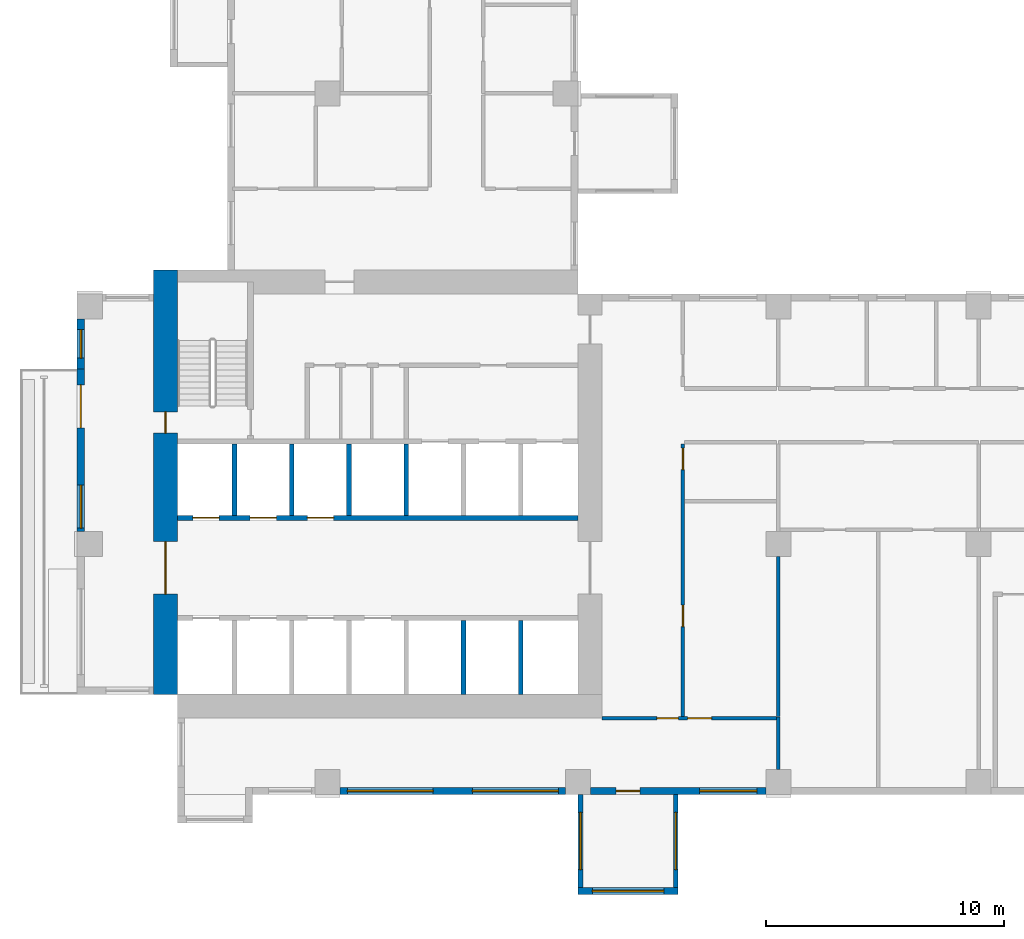
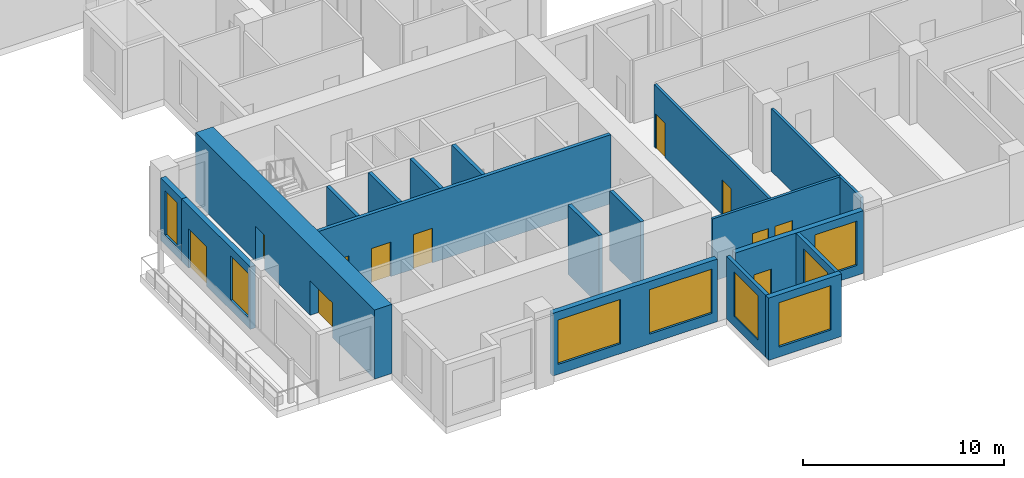
# One storey, part 2 of 14: 19 walls, 11 doors, 8 windows, 19 openings.
"""IFC4 building model written with IfcOpenShell, lengths in metres."""

from ifc_helpers import new_model, si_unit, direction, frame, frame_2d, origin, place, context, subcontext, project, spatial, rectangle, extrude, source, transform, mapped, material, layer, layer_set, type_object, element, fill, save


model = new_model("IFC4")

# Units and contexts
model_context = context("Model", 3, precision=1e-05, world=origin(), true_north=direction((0.0, 1.0)))
body_context = subcontext(model_context, "Body", "Model", "MODEL_VIEW")
ifc_project = project(units=[si_unit("LENGTHUNIT", "METRE"), si_unit("AREAUNIT", "SQUARE_METRE"), si_unit("VOLUMEUNIT", "CUBIC_METRE"), si_unit("PLANEANGLEUNIT", "RADIAN"), si_unit("MASSUNIT", "GRAM", prefix="KILO")], contexts=[model_context])

# Site, building, storey
site_placement = place(None, origin())
site = spatial("IfcSite", under=ifc_project, at=site_placement, CompositionType="ELEMENT")
building_placement = place(site_placement, origin())
building = spatial("IfcBuilding", under=site, at=building_placement, Name="Aurelian Terraces", CompositionType="ELEMENT")
storey_placement = place(building_placement, frame((0.0, 0.0, 111.9)))
storey = spatial("IfcBuildingStorey", under=building, at=storey_placement, Name="L24", CompositionType="ELEMENT", Elevation=111.9)

# Wall, openings, doors
ifc_material_1 = material(Name="Gypsum board on steel studs", Category="steel")
ifc_layer_1 = layer(ifc_material_1, 0.15)
ifc_layer_set_1 = layer_set([ifc_layer_1], Name="Partition 150")
wall_type_1 = type_object("IfcWallType", Name="Partition 150", PredefinedType="PARTITIONING", material=ifc_layer_set_1)
wall_1_placement = place(storey_placement, frame((25.4, 14.7, 0.0), z_axis=(0.0, 0.0, 1.0), x_axis=(0.0, -1.0, 0.0)))
wall_1 = element("IfcWall", 1, at=wall_1_placement, inside=storey, type_object=wall_type_1, Name="Partition", PredefinedType="PARTITIONING", context=body_context, shape_type="SweptSolid", body=[
    extrude(rectangle(XDim=11.425, YDim=0.15, at=frame_2d((5.7125, 0.0))), origin(), (0.0, 0.0, 1.0), 3.8),
])
shared_shape_1 = source(origin(), body_context, "Body", "SweptSolid", [
    extrude(rectangle(XDim=0.9, YDim=2.1, at=frame_2d((0.45, 1.05))), frame((0.0, 0.085, 0.0), z_axis=(0.0, -1.0, 0.0), x_axis=(1.0, 0.0, 0.0)), (0.0, 0.0, 1.0), 0.17),
])
opening_1_placement = place(wall_1_placement, frame((6.7625, 0.0, 0.0)))
opening_1 = element("IfcOpeningElement", 2, at=opening_1_placement, cuts=wall_1, Name="Opening 724001", PredefinedType="OPENING", context=body_context, shape_type="MappedRepresentation", body=[
    mapped(shared_shape_1, transform((0.0, 0.0, 0.0), scale=1.0)),
])
opening_2_placement = place(wall_1_placement, frame((0.175, 0.0, 0.0)))
opening_2 = element("IfcOpeningElement", 3, at=opening_2_placement, cuts=wall_1, Name="Opening 724002", PredefinedType="OPENING", context=body_context, shape_type="MappedRepresentation", body=[
    mapped(shared_shape_1, transform((0.0, 0.0, 0.0), scale=1.0)),
])
ifc_material_2 = material(Name="Timber door leaf", Category="wood")
door_type_1 = type_object("IfcDoorType", Name="Room door 900x2100 right", OperationType="SINGLE_SWING_RIGHT", PredefinedType="DOOR", material=ifc_material_2)
shared_shape_2 = source(origin(), body_context, "Body", "SweptSolid", [
    extrude(rectangle(XDim=0.9, YDim=2.1, at=frame_2d((0.45, 1.05))), frame((0.0, 0.025, 0.0), z_axis=(0.0, -1.0, 0.0), x_axis=(1.0, 0.0, 0.0)), (0.0, 0.0, 1.0), 0.05),
])
door_1_placement = place(opening_1_placement, origin())
door_1 = element("IfcDoor", 4, at=door_1_placement, inside=storey, type_object=door_type_1, Name="Door 724001", OperationType="SINGLE_SWING_RIGHT", OverallHeight=2.1, OverallWidth=0.9, PredefinedType="DOOR", context=body_context, shape_type="MappedRepresentation", body=[
    mapped(shared_shape_2, transform((0.0, 0.0, 0.0), scale=1.0)),
])
fill(opening_1, door_1)
door_type_2 = type_object("IfcDoorType", Name="Room door 900x2100 left", OperationType="SINGLE_SWING_LEFT", PredefinedType="DOOR", material=ifc_material_2)
door_2_placement = place(opening_2_placement, origin())
door_2 = element("IfcDoor", 5, at=door_2_placement, inside=storey, type_object=door_type_2, Name="Door 724002", OperationType="SINGLE_SWING_LEFT", OverallHeight=2.1, OverallWidth=0.9, PredefinedType="DOOR", context=body_context, shape_type="MappedRepresentation", body=[
    mapped(shared_shape_2, transform((0.0, 0.0, 0.0), scale=1.0)),
])
fill(opening_2, door_2)

wall_2_placement = place(storey_placement, frame((22.0, 3.2, 0.0), z_axis=(0.0, 0.0, 1.0), x_axis=(1.0, 0.0, 0.0)))
wall_2 = element("IfcWall", 6, at=wall_2_placement, inside=storey, type_object=wall_type_1, Name="Partition", PredefinedType="PARTITIONING", context=body_context, shape_type="SweptSolid", body=[
    extrude(rectangle(XDim=7.325, YDim=0.15, at=frame_2d((3.6625, 0.0))), origin(), (0.0, 0.0, 1.0), 3.8),
])
shared_shape_3 = source(origin(), body_context, "Body", "SweptSolid", [
    extrude(rectangle(XDim=1.0, YDim=2.1, at=frame_2d((0.5, 1.05))), frame((0.0, 0.085, 0.0), z_axis=(0.0, -1.0, 0.0), x_axis=(1.0, 0.0, 0.0)), (0.0, 0.0, 1.0), 0.17),
])
opening_3_placement = place(wall_2_placement, frame((3.6, 0.0, 0.0)))
opening_3 = element("IfcOpeningElement", 7, at=opening_3_placement, cuts=wall_2, Name="Opening 724004", PredefinedType="OPENING", context=body_context, shape_type="MappedRepresentation", body=[
    mapped(shared_shape_3, transform((0.0, 0.0, 0.0), scale=1.0)),
])
opening_4_placement = place(wall_2_placement, frame((2.313, 0.0, 0.0)))
opening_4 = element("IfcOpeningElement", 8, at=opening_4_placement, cuts=wall_2, Name="Opening 724048", PredefinedType="OPENING", context=body_context, shape_type="MappedRepresentation", body=[
    mapped(shared_shape_1, transform((0.0, 0.0, 0.0), scale=1.0)),
])
door_type_3 = type_object("IfcDoorType", Name="Room door 1000x2100 left", OperationType="SINGLE_SWING_LEFT", PredefinedType="DOOR", material=ifc_material_2)
shared_shape_4 = source(origin(), body_context, "Body", "SweptSolid", [
    extrude(rectangle(XDim=1.0, YDim=2.1, at=frame_2d((0.5, 1.05))), frame((0.0, 0.025, 0.0), z_axis=(0.0, -1.0, 0.0), x_axis=(1.0, 0.0, 0.0)), (0.0, 0.0, 1.0), 0.05),
])
door_3_placement = place(opening_3_placement, origin())
door_3 = element("IfcDoor", 9, at=door_3_placement, inside=storey, type_object=door_type_3, Name="Door 724004", OperationType="SINGLE_SWING_LEFT", OverallHeight=2.1, OverallWidth=1.0, PredefinedType="DOOR", context=body_context, shape_type="MappedRepresentation", body=[
    mapped(shared_shape_4, transform((0.0, 0.0, 0.0), scale=1.0)),
])
fill(opening_3, door_3)
door_4_placement = place(opening_4_placement, origin())
door_4 = element("IfcDoor", 10, at=door_4_placement, inside=storey, type_object=door_type_2, Name="Door 724048", OperationType="SINGLE_SWING_LEFT", OverallHeight=2.1, OverallWidth=0.9, PredefinedType="DOOR", context=body_context, shape_type="MappedRepresentation", body=[
    mapped(shared_shape_2, transform((0.0, 0.0, 0.0), scale=1.0)),
])
fill(opening_4, door_4)

ifc_material_3 = material(Name="Concrete fc' 83 MPa", Category="concrete")
ifc_layer_2 = layer(ifc_material_3, 1.0)
ifc_layer_set_2 = layer_set([ifc_layer_2], Name="CORE WALL 1000 FC83")
wall_type_2 = type_object("IfcWallType", Name="CORE WALL 1000 FC83", PredefinedType="SHEAR", material=ifc_layer_set_2)
shared_shape_5 = source(origin(), body_context, "Body", "SweptSolid", [
    extrude(rectangle(XDim=17.8, YDim=1.0, at=frame_2d((8.9, 0.0))), origin(), (0.0, 0.0, 1.0), 4.2),
])
wall_3_placement = place(storey_placement, frame((3.7, 4.2, 0.0), z_axis=(0.0, 0.0, 1.0), x_axis=(0.0, 1.0, 0.0)))
wall_3 = element("IfcWall", 11, at=wall_3_placement, inside=storey, type_object=wall_type_2, Name="Core wall W L24", PredefinedType="SHEAR", context=body_context, shape_type="MappedRepresentation", body=[
    mapped(shared_shape_5, transform((0.0, 0.0, 0.0), scale=1.0)),
])
shared_shape_6 = source(origin(), body_context, "Body", "SweptSolid", [
    extrude(rectangle(XDim=2.2, YDim=2.1, at=frame_2d((1.1, 1.05))), frame((0.0, 0.51, 0.0), z_axis=(0.0, -1.0, 0.0), x_axis=(1.0, 0.0, 0.0)), (0.0, 0.0, 1.0), 1.02),
])
opening_5_placement = place(wall_3_placement, frame((4.2, 0.0, 0.0)))
opening_5 = element("IfcOpeningElement", 12, at=opening_5_placement, cuts=wall_3, Name="Opening 62722", PredefinedType="OPENING", context=body_context, shape_type="MappedRepresentation", body=[
    mapped(shared_shape_6, transform((0.0, 0.0, 0.0), scale=1.0)),
])
shared_shape_7 = source(origin(), body_context, "Body", "SweptSolid", [
    extrude(rectangle(XDim=0.9, YDim=2.1, at=frame_2d((0.45, 1.05))), frame((0.0, 0.51, 0.0), z_axis=(0.0, -1.0, 0.0), x_axis=(1.0, 0.0, 0.0)), (0.0, 0.0, 1.0), 1.02),
])
opening_6_placement = place(wall_3_placement, frame((10.95, 0.0, 0.0)))
opening_6 = element("IfcOpeningElement", 13, at=opening_6_placement, cuts=wall_3, Name="Opening 62725", PredefinedType="OPENING", context=body_context, shape_type="MappedRepresentation", body=[
    mapped(shared_shape_7, transform((0.0, 0.0, 0.0), scale=1.0)),
])
ifc_material_4 = material(Name="Steel door leaf", Category="steel")
door_type_4 = type_object("IfcDoorType", Name="Core service door 900x2100 right", OperationType="SINGLE_SWING_RIGHT", PredefinedType="DOOR", material=ifc_material_4)
door_5_placement = place(opening_6_placement, origin())
door_5 = element("IfcDoor", 14, at=door_5_placement, inside=storey, type_object=door_type_4, Name="Core door 62725", OperationType="SINGLE_SWING_RIGHT", OverallHeight=2.1, OverallWidth=0.9, PredefinedType="DOOR", context=body_context, shape_type="MappedRepresentation", body=[
    mapped(shared_shape_2, transform((0.0, 0.0, 0.0), scale=1.0)),
])
fill(opening_6, door_5)
door_type_5 = type_object("IfcDoorType", Name="Core double door 2200x2100", OperationType="DOUBLE_DOOR_SINGLE_SWING", PredefinedType="DOOR", material=ifc_material_4)
shared_shape_8 = source(origin(), body_context, "Body", "SweptSolid", [
    extrude(rectangle(XDim=2.2, YDim=2.1, at=frame_2d((1.1, 1.05))), frame((0.0, 0.025, 0.0), z_axis=(0.0, -1.0, 0.0), x_axis=(1.0, 0.0, 0.0)), (0.0, 0.0, 1.0), 0.05),
])
door_6_placement = place(opening_5_placement, origin())
door_6 = element("IfcDoor", 15, at=door_6_placement, inside=storey, type_object=door_type_5, Name="Core door 62722", OperationType="DOUBLE_DOOR_SINGLE_SWING", OverallHeight=2.1, OverallWidth=2.2, PredefinedType="DOOR", context=body_context, shape_type="MappedRepresentation", body=[
    mapped(shared_shape_8, transform((0.0, 0.0, 0.0), scale=1.0)),
])
fill(opening_5, door_6)

# Wall, opening, window
ifc_material_5 = material(Name="Concrete fc' 40 MPa", Category="concrete")
ifc_layer_3 = layer(ifc_material_5, 0.2)
ifc_layer_set_3 = layer_set([ifc_layer_3], Name="BOX BEARING WALL 200")
wall_type_3 = type_object("IfcWallType", Name="BOX BEARING WALL 200", PredefinedType="SOLIDWALL", material=ifc_layer_set_3)
shared_shape_9 = source(origin(), body_context, "Body", "SweptSolid", [
    extrude(rectangle(XDim=3.9, YDim=0.2, at=frame_2d((1.95, 0.0))), origin(), (0.0, 0.0, 1.0), 3.79),
])
wall_4_placement = place(storey_placement, frame((21.1, 0.0, 0.0), z_axis=(0.0, 0.0, 1.0), x_axis=(0.0, -1.0, 0.0)))
wall_4 = element("IfcWall", 16, at=wall_4_placement, inside=storey, type_object=wall_type_3, Name="Box return L24 J35.1", PredefinedType="SOLIDWALL", context=body_context, shape_type="MappedRepresentation", body=[
    mapped(shared_shape_9, transform((0.0, 0.0, 0.0), scale=1.0)),
])
shared_shape_10 = source(origin(), body_context, "Body", "SweptSolid", [
    extrude(rectangle(XDim=2.4, YDim=2.7, at=frame_2d((1.2, 1.35))), frame((0.0, 0.11, 0.0), z_axis=(0.0, -1.0, 0.0), x_axis=(1.0, 0.0, 0.0)), (0.0, 0.0, 1.0), 0.22),
])
opening_7_placement = place(wall_4_placement, frame((0.75, 0.0, 0.6)))
opening_7 = element("IfcOpeningElement", 17, at=opening_7_placement, cuts=wall_4, Name="Opening W2427", PredefinedType="OPENING", context=body_context, shape_type="MappedRepresentation", body=[
    mapped(shared_shape_10, transform((0.0, 0.0, 0.0), scale=1.0)),
])
ifc_material_6 = material(Name="Clear glazing", Category="glass")
window_type_1 = type_object("IfcWindowType", Name="W-2400x2700", PartitioningType="SINGLE_PANEL", PredefinedType="WINDOW", material=ifc_material_6)
shared_shape_11 = source(origin(), body_context, "Body", "SweptSolid", [
    extrude(rectangle(XDim=2.4, YDim=2.7, at=frame_2d((1.2, 1.35))), frame((0.0, 0.03, 0.0), z_axis=(0.0, -1.0, 0.0), x_axis=(1.0, 0.0, 0.0)), (0.0, 0.0, 1.0), 0.06),
])
window_1_placement = place(opening_7_placement, origin())
window_1 = element("IfcWindow", 18, at=window_1_placement, inside=storey, type_object=window_type_1, Name="Window L24 J35-S1", OverallHeight=2.7, OverallWidth=2.4, PartitioningType="SINGLE_PANEL", PredefinedType="WINDOW", context=body_context, shape_type="MappedRepresentation", body=[
    mapped(shared_shape_11, transform((0.0, 0.0, 0.0), scale=1.0)),
])
fill(opening_7, window_1)

wall_5_placement = place(storey_placement, frame((25.1, 0.0, 0.0), z_axis=(0.0, 0.0, 1.0), x_axis=(0.0, -1.0, 0.0)))
wall_5 = element("IfcWall", 19, at=wall_5_placement, inside=storey, type_object=wall_type_3, Name="Box return L24 J35.2", PredefinedType="SOLIDWALL", context=body_context, shape_type="MappedRepresentation", body=[
    mapped(shared_shape_9, transform((0.0, 0.0, 0.0), scale=1.0)),
])
opening_8_placement = place(wall_5_placement, frame((0.75, 0.0, 0.6)))
opening_8 = element("IfcOpeningElement", 20, at=opening_8_placement, cuts=wall_5, Name="Opening W2427", PredefinedType="OPENING", context=body_context, shape_type="MappedRepresentation", body=[
    mapped(shared_shape_10, transform((0.0, 0.0, 0.0), scale=1.0)),
])
window_2_placement = place(opening_8_placement, origin())
window_2 = element("IfcWindow", 21, at=window_2_placement, inside=storey, type_object=window_type_1, Name="Window L24 J35-S2", OverallHeight=2.7, OverallWidth=2.4, PartitioningType="SINGLE_PANEL", PredefinedType="WINDOW", context=body_context, shape_type="MappedRepresentation", body=[
    mapped(shared_shape_11, transform((0.0, 0.0, 0.0), scale=1.0)),
])
fill(opening_8, window_2)

ifc_layer_4 = layer(ifc_material_5, 0.3)
ifc_layer_set_4 = layer_set([ifc_layer_4], Name="BOX BEARING WALL 300")
wall_type_4 = type_object("IfcWallType", Name="BOX BEARING WALL 300", PredefinedType="SOLIDWALL", material=ifc_layer_set_4)
shared_shape_12 = source(origin(), body_context, "Body", "SweptSolid", [
    extrude(rectangle(XDim=4.2, YDim=0.3, at=frame_2d((2.1, 0.0))), origin(), (0.0, 0.0, 1.0), 3.79),
])
wall_6_placement = place(storey_placement, frame((21.0, -4.05, 0.0), z_axis=(0.0, 0.0, 1.0), x_axis=(1.0, 0.0, 0.0)))
wall_6 = element("IfcWall", 22, at=wall_6_placement, inside=storey, type_object=wall_type_4, Name="Box wall L24 J35", PredefinedType="SOLIDWALL", context=body_context, shape_type="MappedRepresentation", body=[
    mapped(shared_shape_12, transform((0.0, 0.0, 0.0), scale=1.0)),
])
shared_shape_13 = source(origin(), body_context, "Body", "SweptSolid", [
    extrude(rectangle(XDim=3.0, YDim=2.7, at=frame_2d((1.5, 1.35))), frame((0.0, 0.16, 0.0), z_axis=(0.0, -1.0, 0.0), x_axis=(1.0, 0.0, 0.0)), (0.0, 0.0, 1.0), 0.32),
])
opening_9_placement = place(wall_6_placement, frame((0.6, 0.0, 0.6)))
opening_9 = element("IfcOpeningElement", 23, at=opening_9_placement, cuts=wall_6, Name="Opening W3027", PredefinedType="OPENING", context=body_context, shape_type="MappedRepresentation", body=[
    mapped(shared_shape_13, transform((0.0, 0.0, 0.0), scale=1.0)),
])
window_type_2 = type_object("IfcWindowType", Name="W-3000x2700", PartitioningType="SINGLE_PANEL", PredefinedType="WINDOW", material=ifc_material_6)
shared_shape_14 = source(origin(), body_context, "Body", "SweptSolid", [
    extrude(rectangle(XDim=3.0, YDim=2.7, at=frame_2d((1.5, 1.35))), frame((0.0, 0.03, 0.0), z_axis=(0.0, -1.0, 0.0), x_axis=(1.0, 0.0, 0.0)), (0.0, 0.0, 1.0), 0.06),
])
window_3_placement = place(opening_9_placement, origin())
window_3 = element("IfcWindow", 24, at=window_3_placement, inside=storey, type_object=window_type_2, Name="Window L24 J35-F1", OverallHeight=2.7, OverallWidth=3.0, PartitioningType="SINGLE_PANEL", PredefinedType="WINDOW", context=body_context, shape_type="MappedRepresentation", body=[
    mapped(shared_shape_14, transform((0.0, 0.0, 0.0), scale=1.0)),
])
fill(opening_9, window_3)

# Wall, openings, window, door
ifc_material_7 = material(Name="Terracotta rainscreen cladding", Category="masonry")
ifc_layer_5 = layer(ifc_material_7, 0.3)
ifc_layer_set_5 = layer_set([ifc_layer_5], Name="EW-300")
wall_type_5 = type_object("IfcWallType", Name="EW-300", PredefinedType="STANDARD", material=ifc_layer_set_5)
shared_shape_15 = source(origin(), body_context, "Body", "SweptSolid", [
    extrude(rectangle(XDim=7.35, YDim=0.3, at=frame_2d((3.675, 0.0))), origin(), (0.0, 0.0, 1.0), 3.8),
])
wall_7_placement = place(storey_placement, frame((21.525, 0.15, 0.0), z_axis=(0.0, 0.0, 1.0), x_axis=(1.0, 0.0, 0.0)))
wall_7 = element("IfcWall", 25, at=wall_7_placement, inside=storey, type_object=wall_type_5, Name="External wall L24 F01.4", PredefinedType="STANDARD", context=body_context, shape_type="MappedRepresentation", body=[
    mapped(shared_shape_15, transform((0.0, 0.0, 0.0), scale=1.0)),
])
shared_shape_16 = source(origin(), body_context, "Body", "SweptSolid", [
    extrude(rectangle(XDim=2.4, YDim=2.7, at=frame_2d((1.2, 1.35))), frame((0.0, 0.16, 0.0), z_axis=(0.0, -1.0, 0.0), x_axis=(1.0, 0.0, 0.0)), (0.0, 0.0, 1.0), 0.32),
])
opening_10_placement = place(wall_7_placement, frame((4.575, 0.0, 0.6)))
opening_10 = element("IfcOpeningElement", 26, at=opening_10_placement, cuts=wall_7, Name="Opening W2427", PredefinedType="OPENING", context=body_context, shape_type="MappedRepresentation", body=[
    mapped(shared_shape_16, transform((0.0, 0.0, 0.0), scale=1.0)),
])
shared_shape_17 = source(origin(), body_context, "Body", "SweptSolid", [
    extrude(rectangle(XDim=1.0, YDim=2.1, at=frame_2d((0.5, 1.05))), frame((0.0, 0.16, 0.0), z_axis=(0.0, -1.0, 0.0), x_axis=(1.0, 0.0, 0.0)), (0.0, 0.0, 1.0), 0.32),
])
opening_11_placement = place(wall_7_placement, frame((1.075, 0.0, 0.0)))
opening_11 = element("IfcOpeningElement", 27, at=opening_11_placement, cuts=wall_7, Name="Opening 824005", PredefinedType="OPENING", context=body_context, shape_type="MappedRepresentation", body=[
    mapped(shared_shape_17, transform((0.0, 0.0, 0.0), scale=1.0)),
])
window_4_placement = place(opening_10_placement, origin())
window_4 = element("IfcWindow", 28, at=window_4_placement, inside=storey, type_object=window_type_1, Name="Window L24 L24-F01-04-1", OverallHeight=2.7, OverallWidth=2.4, PartitioningType="SINGLE_PANEL", PredefinedType="WINDOW", context=body_context, shape_type="MappedRepresentation", body=[
    mapped(shared_shape_11, transform((0.0, 0.0, 0.0), scale=1.0)),
])
fill(opening_10, window_4)
door_7_placement = place(opening_11_placement, origin())
door_7 = element("IfcDoor", 29, at=door_7_placement, inside=storey, type_object=door_type_3, Name="Door 824005", OperationType="SINGLE_SWING_LEFT", OverallHeight=2.1, OverallWidth=1.0, PredefinedType="DOOR", context=body_context, shape_type="MappedRepresentation", body=[
    mapped(shared_shape_4, transform((0.0, 0.0, 0.0), scale=1.0)),
])
fill(opening_11, door_7)

# Wall, opening, window
shared_shape_18 = source(origin(), body_context, "Body", "SweptSolid", [
    extrude(rectangle(XDim=2.1, YDim=0.3, at=frame_2d((1.05, 0.0))), origin(), (0.0, 0.0, 1.0), 3.8),
])
wall_8_placement = place(storey_placement, frame((0.15, 19.95, 0.0), z_axis=(0.0, 0.0, 1.0), x_axis=(0.0, -1.0, 0.0)))
wall_8 = element("IfcWall", 30, at=wall_8_placement, inside=storey, type_object=wall_type_5, Name="External wall L24 F20.37", PredefinedType="STANDARD", context=body_context, shape_type="MappedRepresentation", body=[
    mapped(shared_shape_18, transform((0.0, 0.0, 0.0), scale=1.0)),
])
shared_shape_19 = source(origin(), body_context, "Body", "SweptSolid", [
    extrude(rectangle(XDim=1.2, YDim=2.7, at=frame_2d((0.6, 1.35))), frame((0.0, 0.16, 0.0), z_axis=(0.0, -1.0, 0.0), x_axis=(1.0, 0.0, 0.0)), (0.0, 0.0, 1.0), 0.32),
])
opening_12_placement = place(wall_8_placement, frame((0.45, 0.0, 0.6)))
opening_12 = element("IfcOpeningElement", 31, at=opening_12_placement, cuts=wall_8, Name="Opening W1227", PredefinedType="OPENING", context=body_context, shape_type="MappedRepresentation", body=[
    mapped(shared_shape_19, transform((0.0, 0.0, 0.0), scale=1.0)),
])
window_type_3 = type_object("IfcWindowType", Name="W-1200x2700", PartitioningType="SINGLE_PANEL", PredefinedType="WINDOW", material=ifc_material_6)
shared_shape_20 = source(origin(), body_context, "Body", "SweptSolid", [
    extrude(rectangle(XDim=1.2, YDim=2.7, at=frame_2d((0.6, 1.35))), frame((0.0, 0.03, 0.0), z_axis=(0.0, -1.0, 0.0), x_axis=(1.0, 0.0, 0.0)), (0.0, 0.0, 1.0), 0.06),
])
window_5_placement = place(opening_12_placement, origin())
window_5 = element("IfcWindow", 32, at=window_5_placement, inside=storey, type_object=window_type_3, Name="Window L24 L24-F20-37-P0", OverallHeight=2.7, OverallWidth=1.2, PartitioningType="SINGLE_PANEL", PredefinedType="WINDOW", context=body_context, shape_type="MappedRepresentation", body=[
    mapped(shared_shape_20, transform((0.0, 0.0, 0.0), scale=1.0)),
])
fill(opening_12, window_5)

# Wall, openings, door, window
shared_shape_21 = source(origin(), body_context, "Body", "SweptSolid", [
    extrude(rectangle(XDim=6.825, YDim=0.3, at=frame_2d((3.4125, 0.0))), origin(), (0.0, 0.0, 1.0), 3.8),
])
wall_9_placement = place(storey_placement, frame((0.15, 17.85, 0.0), z_axis=(0.0, 0.0, 1.0), x_axis=(0.0, -1.0, 0.0)))
wall_9 = element("IfcWall", 33, at=wall_9_placement, inside=storey, type_object=wall_type_5, Name="External wall L24 F20.38", PredefinedType="STANDARD", context=body_context, shape_type="MappedRepresentation", body=[
    mapped(shared_shape_21, transform((0.0, 0.0, 0.0), scale=1.0)),
])
shared_shape_22 = source(origin(), body_context, "Body", "SweptSolid", [
    extrude(rectangle(XDim=1.8, YDim=2.4, at=frame_2d((0.9, 1.2))), frame((0.0, 0.16, 0.0), z_axis=(0.0, -1.0, 0.0), x_axis=(1.0, 0.0, 0.0)), (0.0, 0.0, 1.0), 0.32),
])
opening_13_placement = place(wall_9_placement, frame((0.675, 0.0, 0.0)))
opening_13 = element("IfcOpeningElement", 34, at=opening_13_placement, cuts=wall_9, Name="Opening 82401", PredefinedType="OPENING", context=body_context, shape_type="MappedRepresentation", body=[
    mapped(shared_shape_22, transform((0.0, 0.0, 0.0), scale=1.0)),
])
shared_shape_23 = source(origin(), body_context, "Body", "SweptSolid", [
    extrude(rectangle(XDim=1.8, YDim=2.7, at=frame_2d((0.9, 1.35))), frame((0.0, 0.16, 0.0), z_axis=(0.0, -1.0, 0.0), x_axis=(1.0, 0.0, 0.0)), (0.0, 0.0, 1.0), 0.32),
])
opening_14_placement = place(wall_9_placement, frame((4.875, 0.0, 0.6)))
opening_14 = element("IfcOpeningElement", 35, at=opening_14_placement, cuts=wall_9, Name="Opening W1827", PredefinedType="OPENING", context=body_context, shape_type="MappedRepresentation", body=[
    mapped(shared_shape_23, transform((0.0, 0.0, 0.0), scale=1.0)),
])
door_type_6 = type_object("IfcDoorType", Name="BD-1800x2400", OperationType="SLIDING_TO_LEFT", PredefinedType="DOOR", material=ifc_material_6)
shared_shape_24 = source(origin(), body_context, "Body", "SweptSolid", [
    extrude(rectangle(XDim=1.8, YDim=2.4, at=frame_2d((0.9, 1.2))), frame((0.0, 0.025, 0.0), z_axis=(0.0, -1.0, 0.0), x_axis=(1.0, 0.0, 0.0)), (0.0, 0.0, 1.0), 0.05),
])
door_8_placement = place(opening_13_placement, origin())
door_8 = element("IfcDoor", 36, at=door_8_placement, inside=storey, type_object=door_type_6, Name="Balcony door L24 F20.38", OperationType="SLIDING_TO_LEFT", OverallHeight=2.4, OverallWidth=1.8, PredefinedType="DOOR", context=body_context, shape_type="MappedRepresentation", body=[
    mapped(shared_shape_24, transform((0.0, 0.0, 0.0), scale=1.0)),
])
fill(opening_13, door_8)
window_type_4 = type_object("IfcWindowType", Name="W-1800x2700", PartitioningType="SINGLE_PANEL", PredefinedType="WINDOW", material=ifc_material_6)
shared_shape_25 = source(origin(), body_context, "Body", "SweptSolid", [
    extrude(rectangle(XDim=1.8, YDim=2.7, at=frame_2d((0.9, 1.35))), frame((0.0, 0.03, 0.0), z_axis=(0.0, -1.0, 0.0), x_axis=(1.0, 0.0, 0.0)), (0.0, 0.0, 1.0), 0.06),
])
window_6_placement = place(opening_14_placement, origin())
window_6 = element("IfcWindow", 37, at=window_6_placement, inside=storey, type_object=window_type_4, Name="Window L24 L24-F20-38-1", OverallHeight=2.7, OverallWidth=1.8, PartitioningType="SINGLE_PANEL", PredefinedType="WINDOW", context=body_context, shape_type="MappedRepresentation", body=[
    mapped(shared_shape_25, transform((0.0, 0.0, 0.0), scale=1.0)),
])
fill(opening_14, window_6)

# Wall, openings, windows
shared_shape_26 = source(origin(), body_context, "Body", "SweptSolid", [
    extrude(rectangle(XDim=9.45, YDim=0.3, at=frame_2d((4.725, 0.0))), origin(), (0.0, 0.0, 1.0), 3.8),
])
wall_10_placement = place(storey_placement, frame((11.025, 0.15, 0.0), z_axis=(0.0, 0.0, 1.0), x_axis=(1.0, 0.0, 0.0)))
wall_10 = element("IfcWall", 38, at=wall_10_placement, inside=storey, type_object=wall_type_5, Name="External wall L24 F01.3", PredefinedType="STANDARD", context=body_context, shape_type="MappedRepresentation", body=[
    mapped(shared_shape_26, transform((0.0, 0.0, 0.0), scale=1.0)),
])
shared_shape_27 = source(origin(), body_context, "Body", "SweptSolid", [
    extrude(rectangle(XDim=3.6, YDim=2.7, at=frame_2d((1.8, 1.35))), frame((0.0, 0.16, 0.0), z_axis=(0.0, -1.0, 0.0), x_axis=(1.0, 0.0, 0.0)), (0.0, 0.0, 1.0), 0.32),
])
opening_15_placement = place(wall_10_placement, frame((0.3, 0.0, 0.6)))
opening_15 = element("IfcOpeningElement", 39, at=opening_15_placement, cuts=wall_10, Name="Opening W3627", PredefinedType="OPENING", context=body_context, shape_type="MappedRepresentation", body=[
    mapped(shared_shape_27, transform((0.0, 0.0, 0.0), scale=1.0)),
])
opening_16_placement = place(wall_10_placement, frame((5.55, 0.0, 0.6)))
opening_16 = element("IfcOpeningElement", 40, at=opening_16_placement, cuts=wall_10, Name="Opening W3627", PredefinedType="OPENING", context=body_context, shape_type="MappedRepresentation", body=[
    mapped(shared_shape_27, transform((0.0, 0.0, 0.0), scale=1.0)),
])
window_type_5 = type_object("IfcWindowType", Name="W-3600x2700", PartitioningType="SINGLE_PANEL", PredefinedType="WINDOW", material=ifc_material_6)
shared_shape_28 = source(origin(), body_context, "Body", "SweptSolid", [
    extrude(rectangle(XDim=3.6, YDim=2.7, at=frame_2d((1.8, 1.35))), frame((0.0, 0.03, 0.0), z_axis=(0.0, -1.0, 0.0), x_axis=(1.0, 0.0, 0.0)), (0.0, 0.0, 1.0), 0.06),
])
window_7_placement = place(opening_15_placement, origin())
window_7 = element("IfcWindow", 41, at=window_7_placement, inside=storey, type_object=window_type_5, Name="Window L24 L24-F01-03-0", OverallHeight=2.7, OverallWidth=3.6, PartitioningType="SINGLE_PANEL", PredefinedType="WINDOW", context=body_context, shape_type="MappedRepresentation", body=[
    mapped(shared_shape_28, transform((0.0, 0.0, 0.0), scale=1.0)),
])
fill(opening_15, window_7)
window_8_placement = place(opening_16_placement, origin())
window_8 = element("IfcWindow", 42, at=window_8_placement, inside=storey, type_object=window_type_5, Name="Window L24 L24-F01-03-1", OverallHeight=2.7, OverallWidth=3.6, PartitioningType="SINGLE_PANEL", PredefinedType="WINDOW", context=body_context, shape_type="MappedRepresentation", body=[
    mapped(shared_shape_28, transform((0.0, 0.0, 0.0), scale=1.0)),
])
fill(opening_16, window_8)

# Walls
ifc_layer_6 = layer(ifc_material_5, 0.2)
ifc_layer_set_6 = layer_set([ifc_layer_6], Name="Lift shaft wall 200")
wall_type_6 = type_object("IfcWallType", Name="Lift shaft wall 200", PredefinedType="SOLIDWALL", material=ifc_layer_set_6)
shared_shape_29 = source(origin(), body_context, "Body", "SweptSolid", [
    extrude(rectangle(XDim=3.1, YDim=0.2, at=frame_2d((1.55, 0.0))), origin(), (0.0, 0.0, 1.0), 4.2),
])
for number, where, z_axis, x_axis, name in (
    (43, (16.2, 4.2, 0.0), (0.0, 0.0, 1.0), (0.0, 1.0, 0.0), "L24 core wall CD-A5"),
    (44, (18.6, 4.2, 0.0), (0.0, 0.0, 1.0), (0.0, 1.0, 0.0), "L24 core wall CD-A6"),
):
    element("IfcWall", number, at=place(storey_placement, frame(where, z_axis=z_axis, x_axis=x_axis)), inside=storey, type_object=wall_type_6, Name=name, PredefinedType="SOLIDWALL", context=body_context, shape_type="MappedRepresentation", body=[
        mapped(shared_shape_29, transform((0.0, 0.0, 0.0), scale=1.0)),
    ])
shared_shape_30 = source(origin(), body_context, "Body", "SweptSolid", [
    extrude(rectangle(XDim=3.0, YDim=0.2, at=frame_2d((1.5, 0.0))), origin(), (0.0, 0.0, 1.0), 4.2),
])
for number, where, z_axis, x_axis, name in (
    (45, (6.6, 11.7, 0.0), (0.0, 0.0, 1.0), (0.0, 1.0, 0.0), "L24 core wall CD-B1"),
    (46, (9.0, 11.7, 0.0), (0.0, 0.0, 1.0), (0.0, 1.0, 0.0), "L24 core wall CD-B2"),
    (47, (11.4, 11.7, 0.0), (0.0, 0.0, 1.0), (0.0, 1.0, 0.0), "L24 core wall CD-B3"),
    (48, (13.8, 11.7, 0.0), (0.0, 0.0, 1.0), (0.0, 1.0, 0.0), "L24 core wall CD-B4"),
):
    element("IfcWall", number, at=place(storey_placement, frame(where, z_axis=z_axis, x_axis=x_axis)), inside=storey, type_object=wall_type_6, Name=name, PredefinedType="SOLIDWALL", context=body_context, shape_type="MappedRepresentation", body=[
        mapped(shared_shape_30, transform((0.0, 0.0, 0.0), scale=1.0)),
    ])

# Wall, openings, doors
shared_shape_31 = source(origin(), body_context, "Body", "SweptSolid", [
    extrude(rectangle(XDim=16.8, YDim=0.2, at=frame_2d((8.4, 0.0))), origin(), (0.0, 0.0, 1.0), 4.2),
])
wall_11_placement = place(storey_placement, frame((4.2, 11.6, 0.0), z_axis=(0.0, 0.0, 1.0), x_axis=(1.0, 0.0, 0.0)))
wall_11 = element("IfcWall", 49, at=wall_11_placement, inside=storey, type_object=wall_type_6, Name="L24 core wall CF-BF1", PredefinedType="SOLIDWALL", context=body_context, shape_type="MappedRepresentation", body=[
    mapped(shared_shape_31, transform((0.0, 0.0, 0.0), scale=1.0)),
])
shared_shape_32 = source(origin(), body_context, "Body", "SweptSolid", [
    extrude(rectangle(XDim=1.1, YDim=2.1, at=frame_2d((0.55, 1.05))), frame((0.0, 0.11, 0.0), z_axis=(0.0, -1.0, 0.0), x_axis=(1.0, 0.0, 0.0)), (0.0, 0.0, 1.0), 0.22),
])
opening_17_placement = place(wall_11_placement, frame((0.65, 0.0, 0.0)))
opening_17 = element("IfcOpeningElement", 50, at=opening_17_placement, cuts=wall_11, Name="Opening 62704", PredefinedType="OPENING", context=body_context, shape_type="MappedRepresentation", body=[
    mapped(shared_shape_32, transform((0.0, 0.0, 0.0), scale=1.0)),
])
opening_18_placement = place(wall_11_placement, frame((3.05, 0.0, 0.0)))
opening_18 = element("IfcOpeningElement", 51, at=opening_18_placement, cuts=wall_11, Name="Opening 62705", PredefinedType="OPENING", context=body_context, shape_type="MappedRepresentation", body=[
    mapped(shared_shape_32, transform((0.0, 0.0, 0.0), scale=1.0)),
])
opening_19_placement = place(wall_11_placement, frame((5.45, 0.0, 0.0)))
opening_19 = element("IfcOpeningElement", 52, at=opening_19_placement, cuts=wall_11, Name="Opening 62706", PredefinedType="OPENING", context=body_context, shape_type="MappedRepresentation", body=[
    mapped(shared_shape_32, transform((0.0, 0.0, 0.0), scale=1.0)),
])
ifc_material_8 = material(Name="Stainless steel", Category="steel")
door_type_7 = type_object("IfcDoorType", Name="Lift landing door 1100x2100", OperationType="SLIDING_TO_LEFT", PredefinedType="DOOR", material=ifc_material_8)
shared_shape_33 = source(origin(), body_context, "Body", "SweptSolid", [
    extrude(rectangle(XDim=1.1, YDim=2.1, at=frame_2d((0.55, 1.05))), frame((0.0, 0.025, 0.0), z_axis=(0.0, -1.0, 0.0), x_axis=(1.0, 0.0, 0.0)), (0.0, 0.0, 1.0), 0.05),
])
door_9_placement = place(opening_17_placement, origin())
door_9 = element("IfcDoor", 53, at=door_9_placement, inside=storey, type_object=door_type_7, Name="Lift landing door LL5 L24", OperationType="SLIDING_TO_LEFT", OverallHeight=2.1, OverallWidth=1.1, PredefinedType="DOOR", context=body_context, shape_type="MappedRepresentation", body=[
    mapped(shared_shape_33, transform((0.0, 0.0, 0.0), scale=1.0)),
])
fill(opening_17, door_9)
door_10_placement = place(opening_18_placement, origin())
door_10 = element("IfcDoor", 54, at=door_10_placement, inside=storey, type_object=door_type_7, Name="Lift landing door LL6 L24", OperationType="SLIDING_TO_LEFT", OverallHeight=2.1, OverallWidth=1.1, PredefinedType="DOOR", context=body_context, shape_type="MappedRepresentation", body=[
    mapped(shared_shape_33, transform((0.0, 0.0, 0.0), scale=1.0)),
])
fill(opening_18, door_10)
door_11_placement = place(opening_19_placement, origin())
door_11 = element("IfcDoor", 55, at=door_11_placement, inside=storey, type_object=door_type_7, Name="Lift landing door LL7 L24", OperationType="SLIDING_TO_LEFT", OverallHeight=2.1, OverallWidth=1.1, PredefinedType="DOOR", context=body_context, shape_type="MappedRepresentation", body=[
    mapped(shared_shape_33, transform((0.0, 0.0, 0.0), scale=1.0)),
])
fill(opening_19, door_11)

# Walls
shared_shape_34 = source(origin(), body_context, "Body", "SweptSolid", [
    extrude(rectangle(XDim=6.701, YDim=0.15, at=frame_2d((3.3505, 0.0))), origin(), (0.0, 0.0, 1.0), 3.8),
])
wall_12_placement = place(storey_placement, frame((29.4, 3.275, 0.0), z_axis=(0.0, 0.0, 1.0), x_axis=(0.0, 1.0, 0.0)))
element("IfcWall", 56, at=wall_12_placement, inside=storey, type_object=wall_type_1, Name="Partition", PredefinedType="PARTITIONING", context=body_context, shape_type="MappedRepresentation", body=[
    mapped(shared_shape_34, transform((0.0, 0.0, 0.0), scale=1.0)),
])
shared_shape_35 = source(origin(), body_context, "Body", "SweptSolid", [
    extrude(rectangle(XDim=2.206, YDim=0.15, at=frame_2d((1.103, 0.0))), origin(), (0.0, 0.0, 1.0), 3.8),
])
wall_13_placement = place(storey_placement, frame((29.4, 1.049, 0.0), z_axis=(0.0, 0.0, 1.0), x_axis=(0.0, 1.0, 0.0)))
element("IfcWall", 57, at=wall_13_placement, inside=storey, type_object=wall_type_1, Name="Partition", PredefinedType="PARTITIONING", context=body_context, shape_type="MappedRepresentation", body=[
    mapped(shared_shape_35, transform((0.0, 0.0, 0.0), scale=1.0)),
])

save(model, "model.ifc")
